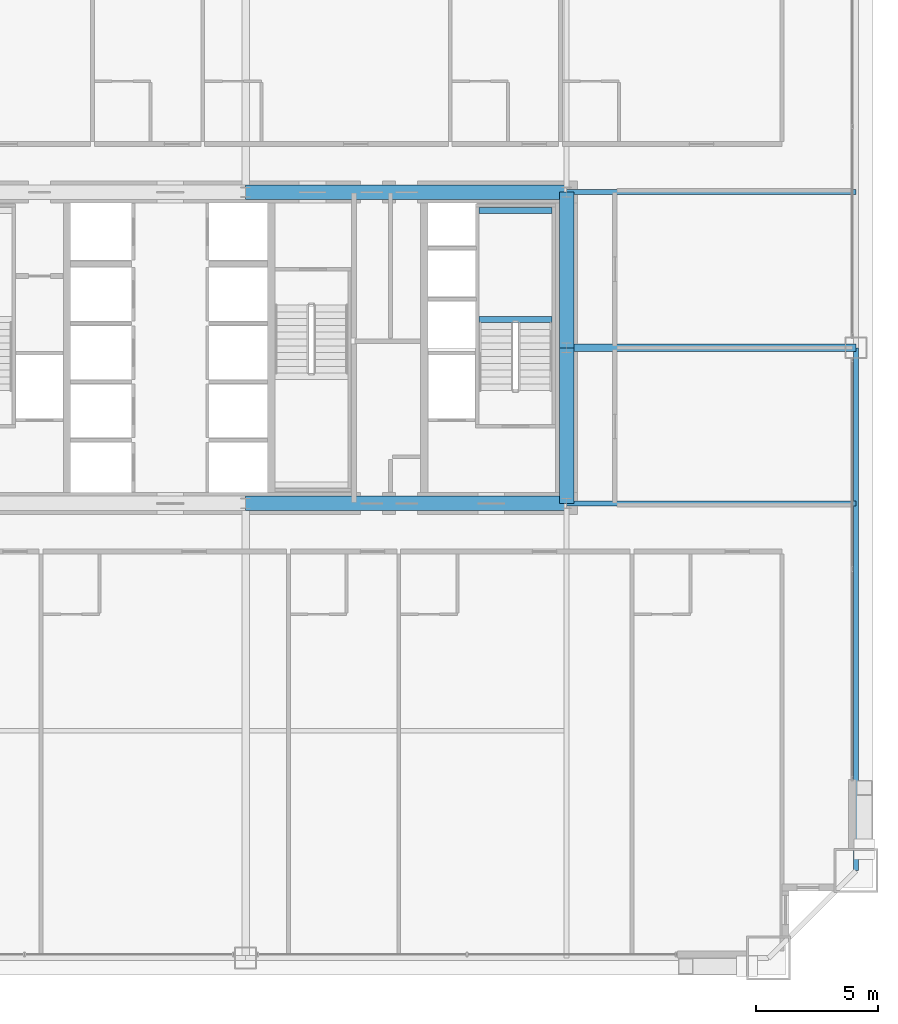
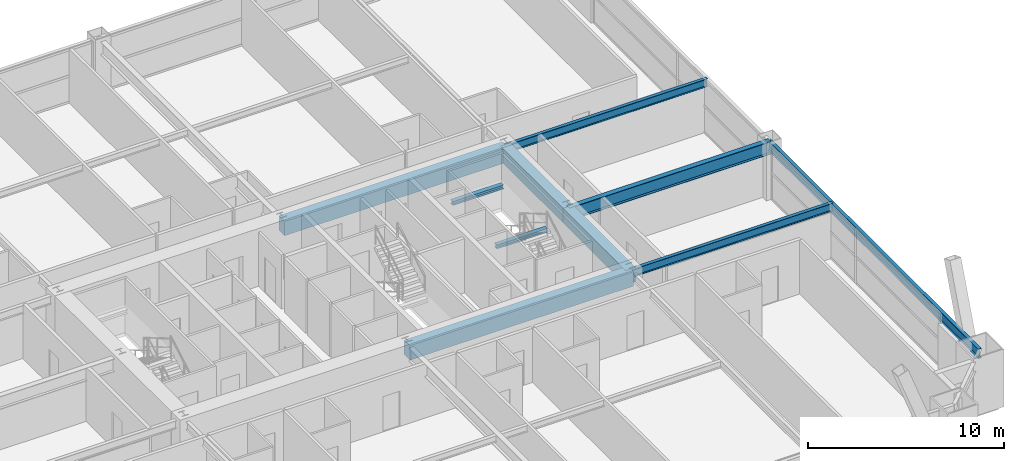
# One storey, part 18 of 43: 10 beams.
"""IFC4 building model written with IfcOpenShell, lengths in metres."""

from ifc_helpers import new_model, si_unit, direction, frame, origin, origin_2d, place, context, subcontext, project, spatial, rectangle, i_section, extrude, source, transform, mapped, material, material_profile, profile_set, type_object, element, save


model = new_model("IFC4")

# Units and contexts
model_context = context("Model", 3, precision=1e-05, world=origin(), true_north=direction((0.0, 1.0)))
body_context = subcontext(model_context, "Body", "Model", "MODEL_VIEW")
ifc_project = project(units=[si_unit("LENGTHUNIT", "METRE"), si_unit("AREAUNIT", "SQUARE_METRE"), si_unit("VOLUMEUNIT", "CUBIC_METRE"), si_unit("PLANEANGLEUNIT", "RADIAN"), si_unit("MASSUNIT", "GRAM", prefix="KILO"), si_unit("THERMODYNAMICTEMPERATUREUNIT", "KELVIN"), si_unit("POWERUNIT", "WATT")], contexts=[model_context])

# Site, building, storey
site_placement = place(None, origin())
site = spatial("IfcSite", under=ifc_project, at=site_placement, CompositionType="ELEMENT")
building_placement = place(site_placement, origin())
building = spatial("IfcBuilding", under=site, at=building_placement, Name="Yuzanri Waterfront Tower", CompositionType="ELEMENT")
storey_placement = place(building_placement, frame((0.0, 0.0, 67.60009765625)))
storey = spatial("IfcBuildingStorey", under=building, at=storey_placement, Name="L17", CompositionType="ELEMENT", Elevation=67.60009765625)

# Beams
ifc_material_1 = material(Name="Concrete C60", Category="concrete")
ifc_material_profile_1 = material_profile(ifc_material_1, rectangle(XDim=0.60009765625, YDim=0.89990234375, at=origin_2d()), Name="RC 600x900")
ifc_profile_set_1 = profile_set([ifc_material_profile_1], Name="Concrete C60")
beam_type_1 = type_object("IfcBeamType", Name="Core Coupling Lintel Concrete C60 600x900", PredefinedType="LINTEL", material=ifc_profile_set_1)
shared_shape_1 = source(origin(), body_context, "Body", "SweptSolid", [
    extrude(rectangle(XDim=0.60009765625, YDim=0.89990234375, at=origin_2d()), origin(), (0.0, 0.0, 1.0), 13.199951171875),
])
for number, where, z_axis, x_axis, name in (
    (1, (37.0, 19.39990234375, 2.929931640625), (1.0, 0.0, 0.0), (0.0, 1.0, 0.0), "L17 Core Tie Beam CS2"),
    (2, (37.0, 32.199951171875, 2.929931640625), (1.0, 0.0, 0.0), (0.0, 1.0, 0.0), "L17 Core Tie Beam CN2"),
):
    element("IfcBeam", number, at=place(storey_placement, frame(where, z_axis=z_axis, x_axis=x_axis)), inside=storey, type_object=beam_type_1, Name=name, PredefinedType="LINTEL", context=body_context, shape_type="MappedRepresentation", body=[
        mapped(shared_shape_1, transform((0.0, 0.0, 0.0), scale=1.0)),
    ])
shared_shape_2 = source(origin(), body_context, "Body", "SweptSolid", [
    extrude(rectangle(XDim=0.60009765625, YDim=0.89990234375, at=origin_2d()), origin(), (0.0, 0.0, 1.0), 6.400146484375),
])
beam_1_placement = place(storey_placement, frame((50.199951171875, 19.39990234375, 2.929931640625), z_axis=(0.0, 1.0, 0.0), x_axis=(-1.0, 0.0, 0.0)))
element("IfcBeam", 3, at=beam_1_placement, inside=storey, type_object=beam_type_1, Name="L17 Core Tie Beam CE1", PredefinedType="LINTEL", context=body_context, shape_type="MappedRepresentation", body=[
    mapped(shared_shape_2, transform((0.0, 0.0, 0.0), scale=1.0)),
])
shared_shape_3 = source(origin(), body_context, "Body", "SweptSolid", [
    extrude(rectangle(XDim=0.60009765625, YDim=0.89990234375, at=origin_2d()), origin(), (0.0, 0.0, 1.0), 6.39990234375),
])
beam_2_placement = place(storey_placement, frame((50.199951171875, 25.800048828125, 2.929931640625), z_axis=(0.0, 1.0, 0.0), x_axis=(-1.0, 0.0, 0.0)))
element("IfcBeam", 4, at=beam_2_placement, inside=storey, type_object=beam_type_1, Name="L17 Core Tie Beam CE2", PredefinedType="LINTEL", context=body_context, shape_type="MappedRepresentation", body=[
    mapped(shared_shape_3, transform((0.0, 0.0, 0.0), scale=1.0)),
])
ifc_material_2 = material(Name="Steel Q355B", Category="steel")
ifc_material_profile_2 = material_profile(ifc_material_2, i_section(OverallWidth=0.199951171875, OverallDepth=0.60009765625, WebThickness=0.010986328125, FlangeThickness=0.01708984375, at=origin_2d()), Name="HN 600x200x11x17")
ifc_profile_set_2 = profile_set([ifc_material_profile_2], Name="Steel Q355B")
beam_type_2 = type_object("IfcBeamType", Name="Perimeter Spandrel Q355B HN 600x200", PredefinedType="SPANDREL", material=ifc_profile_set_2)
shared_shape_4 = source(origin(), body_context, "Body", "SweptSolid", [
    extrude(i_section(OverallWidth=0.199951171875, OverallDepth=0.60009765625, WebThickness=0.010986328125, FlangeThickness=0.01708984375, at=origin_2d()), origin(), (0.0, 0.0, 1.0), 21.5),
])
beam_3_placement = place(storey_placement, frame((62.10009765625, 4.300048828125, 3.079833984375), z_axis=(0.0, 1.0, 0.0), x_axis=(-1.0, 0.0, 0.0)))
element("IfcBeam", 5, at=beam_3_placement, inside=storey, type_object=beam_type_2, Name="L17 Perimeter Spandrel E1-E2", PredefinedType="SPANDREL", context=body_context, shape_type="MappedRepresentation", body=[
    mapped(shared_shape_4, transform((0.0, 0.0, 0.0), scale=1.0)),
])
ifc_material_3 = material(Name="Steel Q355B", Category="steel")
ifc_material_profile_3 = material_profile(ifc_material_3, i_section(OverallWidth=0.300048828125, OverallDepth=0.800048828125, WebThickness=0.013916015625, FlangeThickness=0.02587890625, at=origin_2d()), Name="HN 800x300x14x26")
ifc_profile_set_3 = profile_set([ifc_material_profile_3], Name="Steel Q355B")
beam_type_3 = type_object("IfcBeamType", Name="Primary Floor Girder Q355B HN 800x300", PredefinedType="BEAM", material=ifc_profile_set_3)
shared_shape_5 = source(origin(), body_context, "Body", "SweptSolid", [
    extrude(i_section(OverallWidth=0.300048828125, OverallDepth=0.800048828125, WebThickness=0.013916015625, FlangeThickness=0.02587890625, at=origin_2d()), origin(), (0.0, 0.0, 1.0), 11.900146484375),
])
beam_4_placement = place(storey_placement, frame((50.199951171875, 25.800048828125, 2.97998046875), z_axis=(1.0, 0.0, 0.0), x_axis=(0.0, 1.0, 0.0)))
element("IfcBeam", 6, at=beam_4_placement, inside=storey, type_object=beam_type_3, Name="L17 East Grid Girder", PredefinedType="BEAM", context=body_context, shape_type="MappedRepresentation", body=[
    mapped(shared_shape_5, transform((0.0, 0.0, 0.0), scale=1.0)),
])
ifc_material_4 = material(Name="Steel Q355B", Category="steel")
ifc_material_profile_4 = material_profile(ifc_material_4, i_section(OverallWidth=0.199951171875, OverallDepth=0.5, WebThickness=0.010009765625, FlangeThickness=0.01611328125, at=origin_2d()), Name="HN 500x200x10x16")
ifc_profile_set_4 = profile_set([ifc_material_profile_4], Name="Steel Q355B")
beam_type_4 = type_object("IfcBeamType", Name="Secondary Floor Beam Q355B HN 500x200", PredefinedType="BEAM", material=ifc_profile_set_4)
shared_shape_6 = source(origin(), body_context, "Body", "SweptSolid", [
    extrude(i_section(OverallWidth=0.199951171875, OverallDepth=0.5, WebThickness=0.010009765625, FlangeThickness=0.01611328125, at=origin_2d()), origin(), (0.0, 0.0, 1.0), 11.900146484375),
])
for number, where, z_axis, x_axis, name in (
    (7, (50.199951171875, 19.39990234375, 3.1298828125), (1.0, 0.0, 0.0), (0.0, 1.0, 0.0), "L17 East-South Core Line Beam"),
    (8, (50.199951171875, 32.199951171875, 3.1298828125), (1.0, 0.0, 0.0), (0.0, 1.0, 0.0), "L17 East-North Core Line Beam"),
):
    element("IfcBeam", number, at=place(storey_placement, frame(where, z_axis=z_axis, x_axis=x_axis)), inside=storey, type_object=beam_type_4, Name=name, PredefinedType="BEAM", context=body_context, shape_type="MappedRepresentation", body=[
        mapped(shared_shape_6, transform((0.0, 0.0, 0.0), scale=1.0)),
    ])
ifc_material_5 = material(Name="Steel Q355B", Category="steel")
ifc_material_profile_5 = material_profile(ifc_material_5, i_section(OverallWidth=0.25, OverallDepth=0.25, WebThickness=0.009033203125, FlangeThickness=0.013916015625, at=origin_2d()), Name="HW 250x250x9x14")
ifc_profile_set_5 = profile_set([ifc_material_profile_5], Name="Steel Q355B")
beam_type_5 = type_object("IfcBeamType", Name="Stair Landing Support Beam Q355B HW 250x250", PredefinedType="BEAM", material=ifc_profile_set_5)
shared_shape_7 = source(origin(), body_context, "Body", "SweptSolid", [
    extrude(i_section(OverallWidth=0.25, OverallDepth=0.25, WebThickness=0.009033203125, FlangeThickness=0.013916015625, at=origin_2d()), origin(), (0.0, 0.0, 1.0), 3.0),
])
for number, where, z_axis, x_axis, name in (
    (9, (46.60009765625, 26.969970703125, 1.474853515625), (1.0, 0.0, 0.0), (0.0, 1.0, 0.0), "L17 Stair Landing Support Beam ST-02-L17-L1-1"),
    (10, (46.60009765625, 31.449951171875, 1.474853515625), (1.0, 0.0, 0.0), (0.0, 1.0, 0.0), "L17 Stair Landing Support Beam ST-02-L17-L1-2"),
):
    element("IfcBeam", number, at=place(storey_placement, frame(where, z_axis=z_axis, x_axis=x_axis)), inside=storey, type_object=beam_type_5, Name=name, PredefinedType="BEAM", context=body_context, shape_type="MappedRepresentation", body=[
        mapped(shared_shape_7, transform((0.0, 0.0, 0.0), scale=1.0)),
    ])

save(model, "model.ifc")
